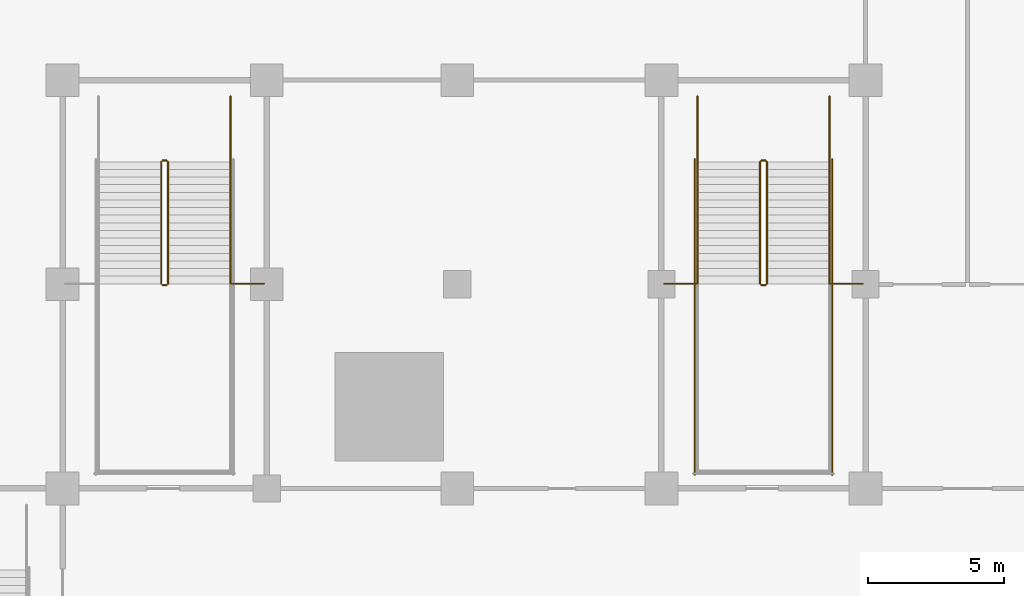
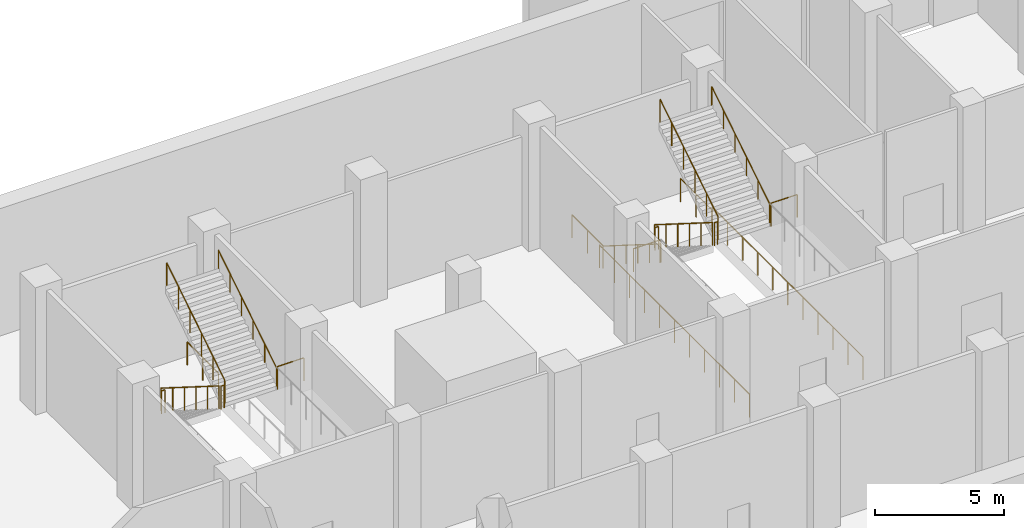
# One storey, part 35 of 45: 19 railings.
"""IFC4 building model written with IfcOpenShell, lengths in metres."""

from ifc_helpers import new_model, si_unit, direction, frame, origin, origin_2d, place, context, subcontext, project, spatial, circle, extrude, material, type_object, element, save


model = new_model("IFC4")

# Units and contexts
model_context = context("Model", 3, precision=1e-05, world=origin(), true_north=direction((0.0, 1.0)))
body_context = subcontext(model_context, "Body", "Model", "MODEL_VIEW")
ifc_project = project(units=[si_unit("LENGTHUNIT", "METRE"), si_unit("AREAUNIT", "SQUARE_METRE"), si_unit("VOLUMEUNIT", "CUBIC_METRE"), si_unit("PLANEANGLEUNIT", "RADIAN"), si_unit("MASSUNIT", "GRAM", prefix="KILO")], contexts=[model_context])

# Site, building, storey
site_placement = place(None, origin())
site = spatial("IfcSite", under=ifc_project, at=site_placement, CompositionType="ELEMENT")
building_placement = place(site_placement, origin())
building = spatial("IfcBuilding", under=site, at=building_placement, Name="Tamorin Gate", CompositionType="ELEMENT")
storey_placement = place(building_placement, frame((0.0, 0.0, -6.0)))
storey = spatial("IfcBuildingStorey", under=building, at=storey_placement, Name="B1", CompositionType="ELEMENT", Elevation=-6.0)

# Railings
ifc_material = material(Name="Steel", Category="steel")
railing_type_1 = type_object("IfcRailingType", Name="Podium guard 1100", PredefinedType="GUARDRAIL", material=ifc_material)
railing_1_placement = place(storey_placement, frame((26.625, 109.0, 0.176513671875)))
element("IfcRailing", 1, at=railing_1_placement, inside=storey, type_object=railing_type_1, Name="B1 SB2 stair guard 1", PredefinedType="GUARDRAIL", context=body_context, shape_type="SweptSolid", body=[
    extrude(circle(Radius=0.02392578125, at=origin_2d()), frame((0.0, 0.0, 1.076171875), z_axis=(0.0, -0.845997938375, 0.533186166611), x_axis=(1.0, 0.0, 0.0)), (0.0, 0.0, 1.0), 5.29541015625),
    extrude(circle(Radius=0.02099609375, at=origin_2d()), origin(), (0.0, 0.0, 1.0), 1.052001953125),
    extrude(circle(Radius=0.02099609375, at=origin_2d()), frame((0.0, -0.89599609375, 0.564697265625)), (0.0, 0.0, 1.0), 1.052001953125),
    extrude(circle(Radius=0.02099609375, at=origin_2d()), frame((0.0, -1.7919921875, 1.12939453125)), (0.0, 0.0, 1.0), 1.052001953125),
    extrude(circle(Radius=0.02099609375, at=origin_2d()), frame((0.0, -2.68798828125, 1.694091796875)), (0.0, 0.0, 1.0), 1.052001953125),
    extrude(circle(Radius=0.02099609375, at=origin_2d()), frame((0.0, -3.583984375, 2.2587890625)), (0.0, 0.0, 1.0), 1.052001953125),
    extrude(circle(Radius=0.02099609375, at=origin_2d()), frame((0.0, -4.47998046875, 2.823486328125)), (0.0, 0.0, 1.0), 1.052001953125),
])
railing_2_placement = place(storey_placement, frame((26.675048828125, 104.469970703125, 3.0)))
element("IfcRailing", 2, at=railing_2_placement, inside=storey, type_object=railing_type_1, Name="B1 SB2 stair guard 2", PredefinedType="GUARDRAIL", context=body_context, shape_type="SweptSolid", body=[
    extrude(circle(Radius=0.02392578125, at=origin_2d()), frame((0.0, 0.0, 1.076171875), z_axis=(1.0, 0.0, 0.0), x_axis=(0.0, 1.0, 0.0)), (0.0, 0.0, 1.0), 0.14990234375),
    extrude(circle(Radius=0.02099609375, at=origin_2d()), origin(), (0.0, 0.0, 1.0), 1.052001953125),
    extrude(circle(Radius=0.02099609375, at=origin_2d()), frame((0.14990234375, 0.0, 0.0)), (0.0, 0.0, 1.0), 1.052001953125),
])
railing_3_placement = place(storey_placement, frame((26.875, 104.52001953125, 3.176513671875)))
element("IfcRailing", 3, at=railing_3_placement, inside=storey, type_object=railing_type_1, Name="B1 SB2 stair guard 6", PredefinedType="GUARDRAIL", context=body_context, shape_type="SweptSolid", body=[
    extrude(circle(Radius=0.02392578125, at=origin_2d()), frame((0.0, 0.0, 1.076171875), z_axis=(0.0, 0.845997938375, 0.533186166611), x_axis=(-1.0, 0.0, 0.0)), (0.0, 0.0, 1.0), 5.29541015625),
    extrude(circle(Radius=0.02099609375, at=origin_2d()), origin(), (0.0, 0.0, 1.0), 1.052001953125),
    extrude(circle(Radius=0.02099609375, at=origin_2d()), frame((0.0, 0.89599609375, 0.564697265625)), (0.0, 0.0, 1.0), 1.052001953125),
    extrude(circle(Radius=0.02099609375, at=origin_2d()), frame((0.0, 1.7919921875, 1.12939453125)), (0.0, 0.0, 1.0), 1.052001953125),
    extrude(circle(Radius=0.02099609375, at=origin_2d()), frame((0.0, 2.68798828125, 1.694091796875)), (0.0, 0.0, 1.0), 1.052001953125),
    extrude(circle(Radius=0.02099609375, at=origin_2d()), frame((0.0, 3.583984375, 2.2587890625)), (0.0, 0.0, 1.0), 1.052001953125),
    extrude(circle(Radius=0.02099609375, at=origin_2d()), frame((0.0, 4.47998046875, 2.823486328125)), (0.0, 0.0, 1.0), 1.052001953125),
])
railing_4_placement = place(storey_placement, frame((26.675048828125, 109.050048828125, 0.0)))
element("IfcRailing", 4, at=railing_4_placement, inside=storey, type_object=railing_type_1, Name="B1 SB2 stair guard 7", PredefinedType="GUARDRAIL", context=body_context, shape_type="SweptSolid", body=[
    extrude(circle(Radius=0.02392578125, at=origin_2d()), frame((0.0, 0.0, 1.076171875), z_axis=(1.0, 0.0, 0.0), x_axis=(0.0, 1.0, 0.0)), (0.0, 0.0, 1.0), 0.14990234375),
    extrude(circle(Radius=0.02099609375, at=origin_2d()), origin(), (0.0, 0.0, 1.0), 1.052001953125),
    extrude(circle(Radius=0.02099609375, at=origin_2d()), frame((0.14990234375, 0.0, 0.0)), (0.0, 0.0, 1.0), 1.052001953125),
])
railing_5_placement = place(storey_placement, frame((29.175048828125, 111.39990234375, 0.0)))
element("IfcRailing", 5, at=railing_5_placement, inside=storey, type_object=railing_type_1, Name="B1 SB2 stair guard 9", PredefinedType="GUARDRAIL", context=body_context, shape_type="SweptSolid", body=[
    extrude(circle(Radius=0.02392578125, at=origin_2d()), frame((0.0, 0.0, 1.076171875), z_axis=(0.0, -1.0, 0.0), x_axis=(1.0, 0.0, 0.0)), (0.0, 0.0, 1.0), 2.39990234375),
    extrude(circle(Radius=0.02099609375, at=origin_2d()), origin(), (0.0, 0.0, 1.0), 1.052001953125),
    extrude(circle(Radius=0.02099609375, at=origin_2d()), frame((0.0, -1.199951171875, 0.0)), (0.0, 0.0, 1.0), 1.052001953125),
    extrude(circle(Radius=0.02099609375, at=origin_2d()), frame((0.0, -2.39990234375, 0.0)), (0.0, 0.0, 1.0), 1.052001953125),
])
railing_6_placement = place(storey_placement, frame((29.22509765625, 104.52001953125, 3.0)))
element("IfcRailing", 6, at=railing_6_placement, inside=storey, type_object=railing_type_1, Name="Landing edge guard", PredefinedType="GUARDRAIL", context=body_context, shape_type="SweptSolid", body=[
    extrude(circle(Radius=0.02392578125, at=origin_2d()), frame((0.0, 0.0, 1.076171875), z_axis=(1.0, 0.0, 0.0), x_axis=(0.0, 1.0, 0.0)), (0.0, 0.0, 1.0), 1.1748046875),
    extrude(circle(Radius=0.02099609375, at=origin_2d()), origin(), (0.0, 0.0, 1.0), 1.052001953125),
    extrude(circle(Radius=0.02099609375, at=origin_2d()), frame((1.1748046875, 0.0, 0.0)), (0.0, 0.0, 1.0), 1.052001953125),
])
railing_7_placement = place(storey_placement, frame((48.625, 109.0, 0.176513671875)))
element("IfcRailing", 7, at=railing_7_placement, inside=storey, type_object=railing_type_1, Name="B1 SB3 stair guard 1", PredefinedType="GUARDRAIL", context=body_context, shape_type="SweptSolid", body=[
    extrude(circle(Radius=0.02392578125, at=origin_2d()), frame((0.0, 0.0, 1.076171875), z_axis=(0.0, -0.845997938375, 0.533186166611), x_axis=(1.0, 0.0, 0.0)), (0.0, 0.0, 1.0), 5.29541015625),
    extrude(circle(Radius=0.02099609375, at=origin_2d()), origin(), (0.0, 0.0, 1.0), 1.052001953125),
    extrude(circle(Radius=0.02099609375, at=origin_2d()), frame((0.0, -0.89599609375, 0.564697265625)), (0.0, 0.0, 1.0), 1.052001953125),
    extrude(circle(Radius=0.02099609375, at=origin_2d()), frame((0.0, -1.7919921875, 1.12939453125)), (0.0, 0.0, 1.0), 1.052001953125),
    extrude(circle(Radius=0.02099609375, at=origin_2d()), frame((0.0, -2.68798828125, 1.694091796875)), (0.0, 0.0, 1.0), 1.052001953125),
    extrude(circle(Radius=0.02099609375, at=origin_2d()), frame((0.0, -3.583984375, 2.2587890625)), (0.0, 0.0, 1.0), 1.052001953125),
    extrude(circle(Radius=0.02099609375, at=origin_2d()), frame((0.0, -4.47998046875, 2.823486328125)), (0.0, 0.0, 1.0), 1.052001953125),
])
railing_8_placement = place(storey_placement, frame((48.675048828125, 104.469970703125, 3.0)))
element("IfcRailing", 8, at=railing_8_placement, inside=storey, type_object=railing_type_1, Name="B1 SB3 stair guard 2", PredefinedType="GUARDRAIL", context=body_context, shape_type="SweptSolid", body=[
    extrude(circle(Radius=0.02392578125, at=origin_2d()), frame((0.0, 0.0, 1.076171875), z_axis=(1.0, 0.0, 0.0), x_axis=(0.0, 1.0, 0.0)), (0.0, 0.0, 1.0), 0.14990234375),
    extrude(circle(Radius=0.02099609375, at=origin_2d()), origin(), (0.0, 0.0, 1.0), 1.052001953125),
    extrude(circle(Radius=0.02099609375, at=origin_2d()), frame((0.14990234375, 0.0, 0.0)), (0.0, 0.0, 1.0), 1.052001953125),
])
railing_9_placement = place(storey_placement, frame((48.875, 104.52001953125, 3.176513671875)))
element("IfcRailing", 9, at=railing_9_placement, inside=storey, type_object=railing_type_1, Name="B1 SB3 stair guard 6", PredefinedType="GUARDRAIL", context=body_context, shape_type="SweptSolid", body=[
    extrude(circle(Radius=0.02392578125, at=origin_2d()), frame((0.0, 0.0, 1.076171875), z_axis=(0.0, 0.845997938375, 0.533186166611), x_axis=(-1.0, 0.0, 0.0)), (0.0, 0.0, 1.0), 5.29541015625),
    extrude(circle(Radius=0.02099609375, at=origin_2d()), origin(), (0.0, 0.0, 1.0), 1.052001953125),
    extrude(circle(Radius=0.02099609375, at=origin_2d()), frame((0.0, 0.89599609375, 0.564697265625)), (0.0, 0.0, 1.0), 1.052001953125),
    extrude(circle(Radius=0.02099609375, at=origin_2d()), frame((0.0, 1.7919921875, 1.12939453125)), (0.0, 0.0, 1.0), 1.052001953125),
    extrude(circle(Radius=0.02099609375, at=origin_2d()), frame((0.0, 2.68798828125, 1.694091796875)), (0.0, 0.0, 1.0), 1.052001953125),
    extrude(circle(Radius=0.02099609375, at=origin_2d()), frame((0.0, 3.583984375, 2.2587890625)), (0.0, 0.0, 1.0), 1.052001953125),
    extrude(circle(Radius=0.02099609375, at=origin_2d()), frame((0.0, 4.47998046875, 2.823486328125)), (0.0, 0.0, 1.0), 1.052001953125),
])
railing_10_placement = place(storey_placement, frame((48.675048828125, 109.050048828125, 0.0)))
element("IfcRailing", 10, at=railing_10_placement, inside=storey, type_object=railing_type_1, Name="B1 SB3 stair guard 7", PredefinedType="GUARDRAIL", context=body_context, shape_type="SweptSolid", body=[
    extrude(circle(Radius=0.02392578125, at=origin_2d()), frame((0.0, 0.0, 1.076171875), z_axis=(1.0, 0.0, 0.0), x_axis=(0.0, 1.0, 0.0)), (0.0, 0.0, 1.0), 0.14990234375),
    extrude(circle(Radius=0.02099609375, at=origin_2d()), origin(), (0.0, 0.0, 1.0), 1.052001953125),
    extrude(circle(Radius=0.02099609375, at=origin_2d()), frame((0.14990234375, 0.0, 0.0)), (0.0, 0.0, 1.0), 1.052001953125),
])
for number, where, name in (
    (11, (46.324951171875, 111.39990234375, 0.0), "B1 SB3 stair guard 8"),
    (12, (51.175048828125, 111.39990234375, 0.0), "B1 SB3 stair guard 9"),
):
    element("IfcRailing", number, at=place(storey_placement, frame(where)), inside=storey, type_object=railing_type_1, Name=name, PredefinedType="GUARDRAIL", context=body_context, shape_type="SweptSolid", body=[
        extrude(circle(Radius=0.02392578125, at=origin_2d()), frame((0.0, 0.0, 1.076171875), z_axis=(0.0, -1.0, 0.0), x_axis=(1.0, 0.0, 0.0)), (0.0, 0.0, 1.0), 2.39990234375),
        extrude(circle(Radius=0.02099609375, at=origin_2d()), origin(), (0.0, 0.0, 1.0), 1.052001953125),
        extrude(circle(Radius=0.02099609375, at=origin_2d()), frame((0.0, -1.199951171875, 0.0)), (0.0, 0.0, 1.0), 1.052001953125),
        extrude(circle(Radius=0.02099609375, at=origin_2d()), frame((0.0, -2.39990234375, 0.0)), (0.0, 0.0, 1.0), 1.052001953125),
    ])
for number, where, name in (
    (13, (46.22509765625, 109.10009765625, 0.0), "B1 SB3 stair guard 10"),
    (14, (51.27490234375, 109.10009765625, 0.0), "B1 SB3 stair guard 11"),
):
    element("IfcRailing", number, at=place(storey_placement, frame(where)), inside=storey, type_object=railing_type_1, Name=name, PredefinedType="GUARDRAIL", context=body_context, shape_type="SweptSolid", body=[
        extrude(circle(Radius=0.02392578125, at=origin_2d()), frame((0.0, 0.0, 1.076171875), z_axis=(0.0, -1.0, 0.0), x_axis=(1.0, 0.0, 0.0)), (0.0, 0.0, 1.0), 11.60009765625),
        extrude(circle(Radius=0.02099609375, at=origin_2d()), origin(), (0.0, 0.0, 1.0), 1.052001953125),
        extrude(circle(Radius=0.02099609375, at=origin_2d()), frame((0.0, -1.159912109375, 0.0)), (0.0, 0.0, 1.0), 1.052001953125),
        extrude(circle(Radius=0.02099609375, at=origin_2d()), frame((0.0, -2.320068359375, 0.0)), (0.0, 0.0, 1.0), 1.052001953125),
        extrude(circle(Radius=0.02099609375, at=origin_2d()), frame((0.0, -3.47998046875, 0.0)), (0.0, 0.0, 1.0), 1.052001953125),
        extrude(circle(Radius=0.02099609375, at=origin_2d()), frame((0.0, -4.64013671875, 0.0)), (0.0, 0.0, 1.0), 1.052001953125),
        extrude(circle(Radius=0.02099609375, at=origin_2d()), frame((0.0, -5.800048828125, 0.0)), (0.0, 0.0, 1.0), 1.052001953125),
        extrude(circle(Radius=0.02099609375, at=origin_2d()), frame((0.0, -6.9599609375, 0.0)), (0.0, 0.0, 1.0), 1.052001953125),
        extrude(circle(Radius=0.02099609375, at=origin_2d()), frame((0.0, -8.1201171875, 0.0)), (0.0, 0.0, 1.0), 1.052001953125),
        extrude(circle(Radius=0.02099609375, at=origin_2d()), frame((0.0, -9.280029296875, 0.0)), (0.0, 0.0, 1.0), 1.052001953125),
        extrude(circle(Radius=0.02099609375, at=origin_2d()), frame((0.0, -10.440185546875, 0.0)), (0.0, 0.0, 1.0), 1.052001953125),
        extrude(circle(Radius=0.02099609375, at=origin_2d()), frame((0.0, -11.60009765625, 0.0)), (0.0, 0.0, 1.0), 1.052001953125),
    ])
for number, where, name in (
    (15, (45.10009765625, 104.52001953125, 3.0), "Landing edge guard"),
    (16, (51.22509765625, 104.52001953125, 3.0), "Landing edge guard"),
):
    element("IfcRailing", number, at=place(storey_placement, frame(where)), inside=storey, type_object=railing_type_1, Name=name, PredefinedType="GUARDRAIL", context=body_context, shape_type="SweptSolid", body=[
        extrude(circle(Radius=0.02392578125, at=origin_2d()), frame((0.0, 0.0, 1.076171875), z_axis=(1.0, 0.0, 0.0), x_axis=(0.0, 1.0, 0.0)), (0.0, 0.0, 1.0), 1.1748046875),
        extrude(circle(Radius=0.02099609375, at=origin_2d()), origin(), (0.0, 0.0, 1.0), 1.052001953125),
        extrude(circle(Radius=0.02099609375, at=origin_2d()), frame((1.1748046875, 0.0, 0.0)), (0.0, 0.0, 1.0), 1.052001953125),
    ])
railing_type_2 = type_object("IfcRailingType", Name="Podium stair handrail 900", PredefinedType="HANDRAIL", material=ifc_material)
railing_11_placement = place(storey_placement, frame((29.175048828125, 104.52001953125, 3.176513671875)))
element("IfcRailing", 17, at=railing_11_placement, inside=storey, type_object=railing_type_2, Name="B1 SB2 stair handrail 2", PredefinedType="HANDRAIL", context=body_context, shape_type="SweptSolid", body=[
    extrude(circle(Radius=0.02392578125, at=origin_2d()), frame((0.0, 0.0, 0.8759765625), z_axis=(0.0, 0.845997938375, 0.533186166611), x_axis=(-1.0, 0.0, 0.0)), (0.0, 0.0, 1.0), 5.29541015625),
    extrude(circle(Radius=0.02099609375, at=origin_2d()), origin(), (0.0, 0.0, 1.0), 0.851806640625),
    extrude(circle(Radius=0.02099609375, at=origin_2d()), frame((0.0, 0.89599609375, 0.564697265625)), (0.0, 0.0, 1.0), 0.851806640625),
    extrude(circle(Radius=0.02099609375, at=origin_2d()), frame((0.0, 1.7919921875, 1.12939453125)), (0.0, 0.0, 1.0), 0.851806640625),
    extrude(circle(Radius=0.02099609375, at=origin_2d()), frame((0.0, 2.68798828125, 1.694091796875)), (0.0, 0.0, 1.0), 0.851806640625),
    extrude(circle(Radius=0.02099609375, at=origin_2d()), frame((0.0, 3.583984375, 2.2587890625)), (0.0, 0.0, 1.0), 0.851806640625),
    extrude(circle(Radius=0.02099609375, at=origin_2d()), frame((0.0, 4.47998046875, 2.823486328125)), (0.0, 0.0, 1.0), 0.851806640625),
])
railing_12_placement = place(storey_placement, frame((46.324951171875, 109.0, 0.176513671875)))
element("IfcRailing", 18, at=railing_12_placement, inside=storey, type_object=railing_type_2, Name="B1 SB3 stair handrail 1", PredefinedType="HANDRAIL", context=body_context, shape_type="SweptSolid", body=[
    extrude(circle(Radius=0.02392578125, at=origin_2d()), frame((0.0, 0.0, 0.8759765625), z_axis=(0.0, -0.845997938375, 0.533186166611), x_axis=(1.0, 0.0, 0.0)), (0.0, 0.0, 1.0), 5.29541015625),
    extrude(circle(Radius=0.02099609375, at=origin_2d()), origin(), (0.0, 0.0, 1.0), 0.851806640625),
    extrude(circle(Radius=0.02099609375, at=origin_2d()), frame((0.0, -0.89599609375, 0.564697265625)), (0.0, 0.0, 1.0), 0.851806640625),
    extrude(circle(Radius=0.02099609375, at=origin_2d()), frame((0.0, -1.7919921875, 1.12939453125)), (0.0, 0.0, 1.0), 0.851806640625),
    extrude(circle(Radius=0.02099609375, at=origin_2d()), frame((0.0, -2.68798828125, 1.694091796875)), (0.0, 0.0, 1.0), 0.851806640625),
    extrude(circle(Radius=0.02099609375, at=origin_2d()), frame((0.0, -3.583984375, 2.2587890625)), (0.0, 0.0, 1.0), 0.851806640625),
    extrude(circle(Radius=0.02099609375, at=origin_2d()), frame((0.0, -4.47998046875, 2.823486328125)), (0.0, 0.0, 1.0), 0.851806640625),
])
railing_13_placement = place(storey_placement, frame((51.175048828125, 104.52001953125, 3.176513671875)))
element("IfcRailing", 19, at=railing_13_placement, inside=storey, type_object=railing_type_2, Name="B1 SB3 stair handrail 2", PredefinedType="HANDRAIL", context=body_context, shape_type="SweptSolid", body=[
    extrude(circle(Radius=0.02392578125, at=origin_2d()), frame((0.0, 0.0, 0.8759765625), z_axis=(0.0, 0.845997938375, 0.533186166611), x_axis=(-1.0, 0.0, 0.0)), (0.0, 0.0, 1.0), 5.29541015625),
    extrude(circle(Radius=0.02099609375, at=origin_2d()), origin(), (0.0, 0.0, 1.0), 0.851806640625),
    extrude(circle(Radius=0.02099609375, at=origin_2d()), frame((0.0, 0.89599609375, 0.564697265625)), (0.0, 0.0, 1.0), 0.851806640625),
    extrude(circle(Radius=0.02099609375, at=origin_2d()), frame((0.0, 1.7919921875, 1.12939453125)), (0.0, 0.0, 1.0), 0.851806640625),
    extrude(circle(Radius=0.02099609375, at=origin_2d()), frame((0.0, 2.68798828125, 1.694091796875)), (0.0, 0.0, 1.0), 0.851806640625),
    extrude(circle(Radius=0.02099609375, at=origin_2d()), frame((0.0, 3.583984375, 2.2587890625)), (0.0, 0.0, 1.0), 0.851806640625),
    extrude(circle(Radius=0.02099609375, at=origin_2d()), frame((0.0, 4.47998046875, 2.823486328125)), (0.0, 0.0, 1.0), 0.851806640625),
])

save(model, "model.ifc")
